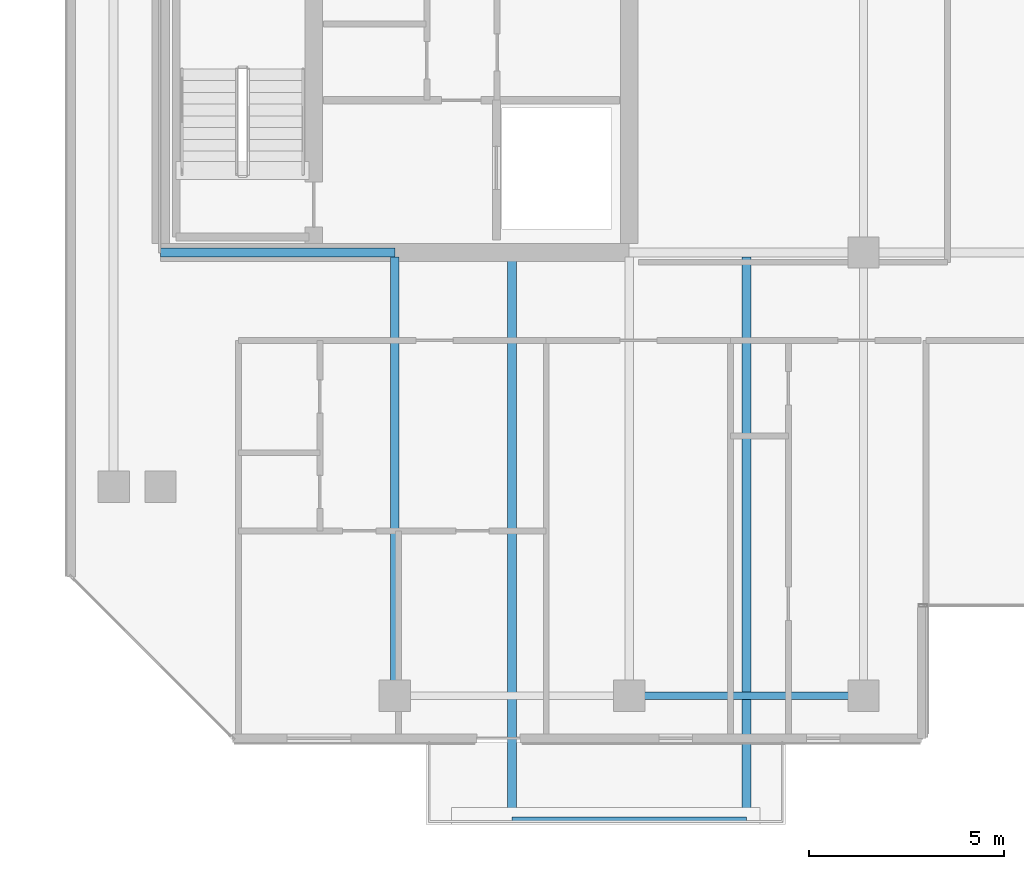
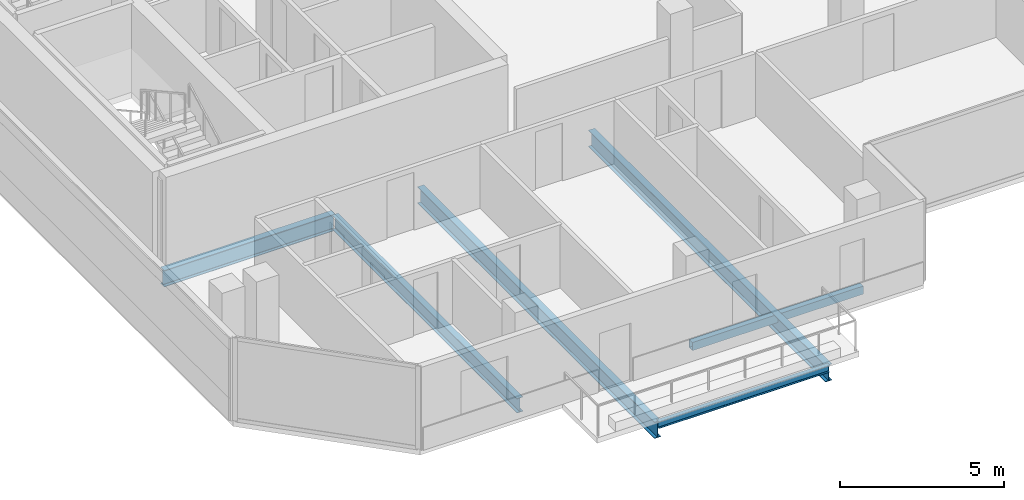
# One storey, part 3 of 29: 6 beams.
"""IFC4 building model written with IfcOpenShell, lengths in metres."""

from ifc_helpers import new_model, si_unit, direction, frame, origin, origin_2d, place, context, subcontext, project, spatial, hollow_rectangle, i_section, extrude, material, material_profile, profile_set, type_object, element, save


model = new_model("IFC4")

# Units and contexts
model_context = context("Model", 3, precision=1e-05, world=origin(), true_north=direction((0.0, 1.0)))
body_context = subcontext(model_context, "Body", "Model", "MODEL_VIEW")
ifc_project = project(units=[si_unit("LENGTHUNIT", "METRE"), si_unit("AREAUNIT", "SQUARE_METRE"), si_unit("VOLUMEUNIT", "CUBIC_METRE"), si_unit("PLANEANGLEUNIT", "RADIAN"), si_unit("MASSUNIT", "GRAM", prefix="KILO")], contexts=[model_context])

# Site, building, storey
site_placement = place(None, origin())
site = spatial("IfcSite", under=ifc_project, at=site_placement, CompositionType="ELEMENT")
building_placement = place(site_placement, origin())
building = spatial("IfcBuilding", under=site, at=building_placement, Name="Tanjung Sevakor Pilgrim Tower", CompositionType="ELEMENT")
storey_placement = place(building_placement, frame((0.0, 0.0, 181.830078125)))
storey = spatial("IfcBuildingStorey", under=building, at=storey_placement, Name="L50", CompositionType="ELEMENT", Elevation=181.830078125)

# Beams
ifc_material_1 = material(Name="Steel S355J2", Category="steel")
ifc_material_profile_1 = material_profile(ifc_material_1, i_section(OverallWidth=0.22900390625, OverallDepth=0.6123046875, WebThickness=0.011962890625, FlangeThickness=0.01953125, FilletRadius=0.0126953125, at=origin_2d()))
ifc_profile_set_1 = profile_set([ifc_material_profile_1], Name="Steel S355J2")
beam_type_1 = type_object("IfcBeamType", Name="BM-B-G4-UB_610x229x125", PredefinedType="BEAM", material=ifc_profile_set_1)
beam_1_placement = place(storey_placement, frame((24.0, 24.60009765625, -0.526123046875), z_axis=(1.0, 0.0, 0.0), x_axis=(0.0, 1.0, 0.0)))
element("IfcBeam", 1, at=beam_1_placement, inside=storey, type_object=beam_type_1, Name="L50 Primary Floor Girder MAIN Y246-01", PredefinedType="BEAM", context=body_context, shape_type="SweptSolid", body=[
    extrude(i_section(OverallWidth=0.22900390625, OverallDepth=0.6123046875, WebThickness=0.011962890625, FlangeThickness=0.01953125, FilletRadius=0.0126953125, at=origin_2d()), origin(), (0.0, 0.0, 1.0), 6.0),
])
for number, where, z_axis, x_axis, name in (
    (2, (33.0, 24.485595703125, -0.526123046875), (0.0, -1.0, 0.0), (1.0, 0.0, 0.0), "L50 Balcony Cantilever Beam MAIN-S1-1"),
    (3, (39.0, 24.485595703125, -0.526123046875), (0.0, -1.0, 0.0), (1.0, 0.0, 0.0), "L50 Balcony Cantilever Beam MAIN-S1-2"),
):
    element("IfcBeam", number, at=place(storey_placement, frame(where, z_axis=z_axis, x_axis=x_axis)), inside=storey, type_object=beam_type_1, Name=name, PredefinedType="BEAM", context=body_context, shape_type="SweptSolid", body=[
        extrude(i_section(OverallWidth=0.22900390625, OverallDepth=0.6123046875, WebThickness=0.011962890625, FlangeThickness=0.01953125, FilletRadius=0.0126953125, at=origin_2d()), origin(), (0.0, 0.0, 1.0), 14.41552734375),
    ])
ifc_material_2 = material(Name="Steel S355J2", Category="steel")
ifc_material_profile_2 = material_profile(ifc_material_2, i_section(OverallWidth=0.2119140625, OverallDepth=0.54443359375, WebThickness=0.0126953125, FlangeThickness=0.021240234375, FilletRadius=0.0126953125, at=origin_2d()))
ifc_profile_set_2 = profile_set([ifc_material_profile_2], Name="Steel S355J2")
beam_type_2 = type_object("IfcBeamType", Name="BM-B-G5-UB_533x210x122", PredefinedType="BEAM", material=ifc_profile_set_2)
beam_2_placement = place(storey_placement, frame((30.0, 13.25, -0.492431640625), z_axis=(0.0, 1.0, 0.0), x_axis=(-1.0, 0.0, 0.0)))
element("IfcBeam", 4, at=beam_2_placement, inside=storey, type_object=beam_type_2, Name="L50 MAIN Girder 001", PredefinedType="BEAM", context=body_context, shape_type="SweptSolid", body=[
    extrude(i_section(OverallWidth=0.2119140625, OverallDepth=0.54443359375, WebThickness=0.0126953125, FlangeThickness=0.021240234375, FilletRadius=0.0126953125, at=origin_2d()), origin(), (0.0, 0.0, 1.0), 11.235595703125),
])
ifc_material_3 = material(Name="Steel S355J2", Category="steel")
ifc_material_profile_3 = material_profile(ifc_material_3, i_section(OverallWidth=0.146484375, OverallDepth=0.256103515625, WebThickness=0.00634765625, FlangeThickness=0.010986328125, FilletRadius=0.007568359375, at=origin_2d()))
ifc_profile_set_3 = profile_set([ifc_material_profile_3], Name="Steel S355J2")
beam_type_3 = type_object("IfcBeamType", Name="BM-B-J6-UB_254x146x37", PredefinedType="JOIST", material=ifc_profile_set_3)
beam_3_placement = place(storey_placement, frame((33.0, 10.070068359375, -0.328125), z_axis=(1.0, 0.0, 0.0), x_axis=(0.0, 1.0, 0.0)))
element("IfcBeam", 5, at=beam_3_placement, inside=storey, type_object=beam_type_3, Name="L50 Balcony Rim Tie MAIN-S1", PredefinedType="JOIST", context=body_context, shape_type="SweptSolid", body=[
    extrude(i_section(OverallWidth=0.146484375, OverallDepth=0.256103515625, WebThickness=0.00634765625, FlangeThickness=0.010986328125, FilletRadius=0.007568359375, at=origin_2d()), origin(), (0.0, 0.0, 1.0), 6.0),
])
ifc_material_4 = material(Name="Steel S355J2", Category="steel")
ifc_material_profile_4 = material_profile(ifc_material_4, hollow_rectangle(XDim=0.199951171875, YDim=0.300048828125, WallThickness=0.012451171875, at=origin_2d()))
ifc_profile_set_4 = profile_set([ifc_material_profile_4], Name="Steel S355J2")
beam_type_4 = type_object("IfcBeamType", Name="BM-B-SP3-RHS_300x200x12.5", PredefinedType="SPANDREL", material=ifc_profile_set_4)
beam_4_placement = place(storey_placement, frame((36.0, 13.25, -0.3701171875), z_axis=(1.0, 0.0, 0.0), x_axis=(0.0, 1.0, 0.0)))
element("IfcBeam", 6, at=beam_4_placement, inside=storey, type_object=beam_type_4, Name="L50 Spandrel MAIN S-03", PredefinedType="SPANDREL", context=body_context, shape_type="SweptSolid", body=[
    extrude(hollow_rectangle(XDim=0.199951171875, YDim=0.300048828125, WallThickness=0.012451171875, at=origin_2d()), origin(), (0.0, 0.0, 1.0), 6.0),
])

save(model, "model.ifc")
